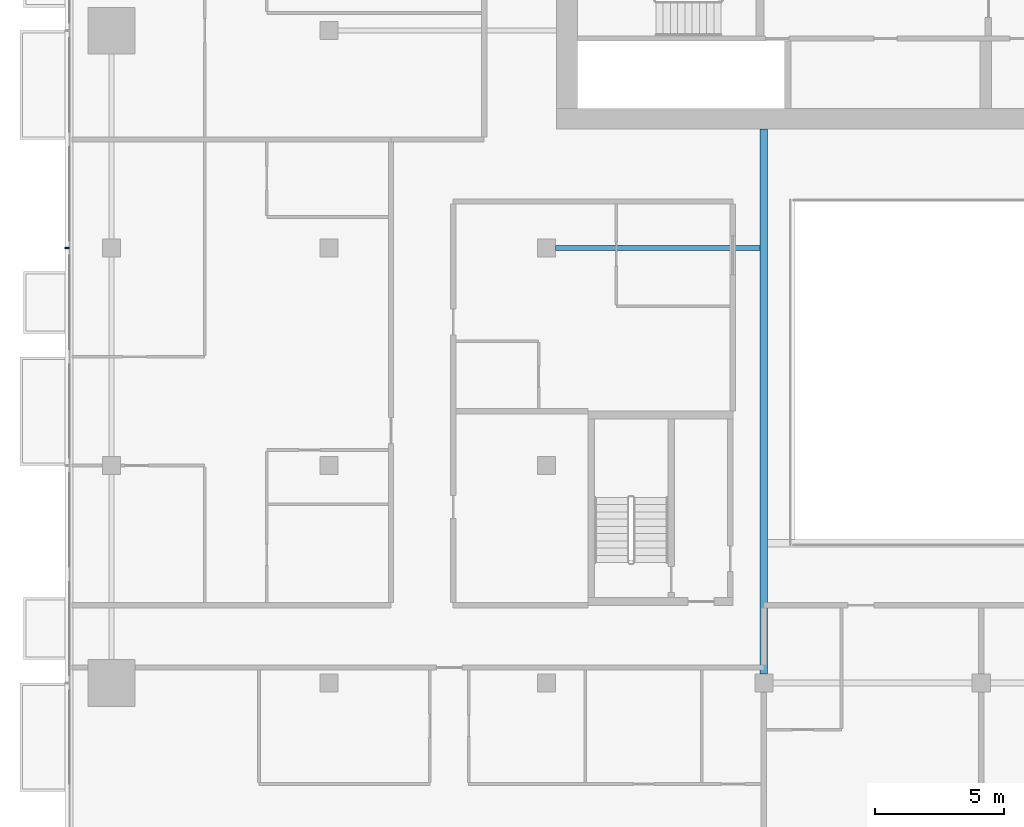
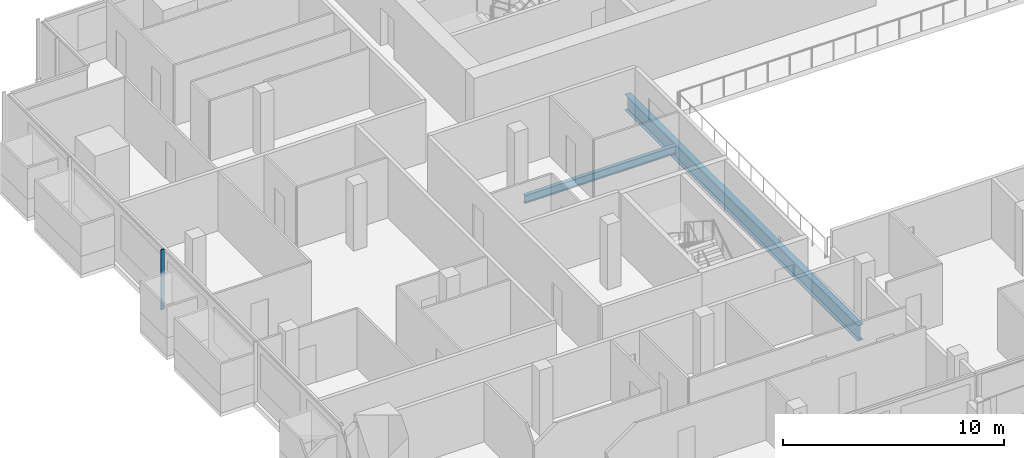
# One storey, part 4 of 28: 2 beams, 1 member, 1 element without a shape of its own.
"""IFC4 building model written with IfcOpenShell, lengths in metres."""

from ifc_helpers import new_model, si_unit, direction, frame, origin, origin_2d, place, context, subcontext, project, spatial, rectangle, i_section, extrude, material, material_profile, profile_set, type_object, element, aggregate, save


model = new_model("IFC4")

# Units and contexts
model_context = context("Model", 3, precision=1e-05, world=origin(), true_north=direction((0.0, 1.0)))
body_context = subcontext(model_context, "Body", "Model", "MODEL_VIEW")
ifc_project = project(units=[si_unit("LENGTHUNIT", "METRE"), si_unit("AREAUNIT", "SQUARE_METRE"), si_unit("VOLUMEUNIT", "CUBIC_METRE"), si_unit("PLANEANGLEUNIT", "RADIAN"), si_unit("MASSUNIT", "GRAM", prefix="KILO")], contexts=[model_context])

# Site, building, storey
site_placement = place(None, origin())
site = spatial("IfcSite", under=ifc_project, at=site_placement, CompositionType="ELEMENT")
building_placement = place(site_placement, origin())
building = spatial("IfcBuilding", under=site, at=building_placement, Name="Saffron Gate Tower", CompositionType="ELEMENT")
storey_placement = place(building_placement, frame((0.0, 0.0, 151.050048828125)))
storey = spatial("IfcBuildingStorey", under=building, at=storey_placement, Name="L36", CompositionType="ELEMENT", Elevation=151.050048828125)

# Beams
ifc_material_1 = material(Name="Structural steel S355", Category="steel")
ifc_material_profile_1 = material_profile(ifc_material_1, i_section(OverallWidth=0.300048828125, OverallDepth=0.889892578125, WebThickness=0.01611328125, FlangeThickness=0.030029296875, FilletRadius=0.030029296875, at=origin_2d()))
ifc_profile_set_1 = profile_set([ifc_material_profile_1], Name="Structural steel S355")
beam_type_1 = type_object("IfcBeamType", Name="B19 HEA 900", PredefinedType="BEAM", material=ifc_profile_set_1)
beam_1_placement = place(storey_placement, frame((75.0, 40.550048828125, -0.72509765625), z_axis=(0.0, 1.0, 0.0), x_axis=(-1.0, 0.0, 0.0)))
element("IfcBeam", 1, at=beam_1_placement, inside=storey, type_object=beam_type_1, Name="B19 ATRIUM GIRDER", PredefinedType="BEAM", context=body_context, shape_type="SweptSolid", body=[
    extrude(i_section(OverallWidth=0.300048828125, OverallDepth=0.889892578125, WebThickness=0.01611328125, FlangeThickness=0.030029296875, FilletRadius=0.030029296875, at=origin_2d()), origin(), (0.0, 0.0, 1.0), 21.050048828125),
])
ifc_material_profile_2 = material_profile(ifc_material_1, i_section(OverallWidth=0.18994140625, OverallDepth=0.449951171875, WebThickness=0.009521484375, FlangeThickness=0.0146484375, FilletRadius=0.02099609375, at=origin_2d()))
ifc_profile_set_2 = profile_set([ifc_material_profile_2], Name="Structural steel S355")
beam_type_2 = type_object("IfcBeamType", Name="B6 IPE 450", PredefinedType="BEAM", material=ifc_profile_set_2)
beam_2_placement = place(storey_placement, frame((66.949951171875, 57.0, -0.505126953125), z_axis=(1.0, 0.0, 0.0), x_axis=(0.0, 1.0, 0.0)))
element("IfcBeam", 2, at=beam_2_placement, inside=storey, type_object=beam_type_2, Name="B6 CORE TIE BEAM", PredefinedType="BEAM", context=body_context, shape_type="SweptSolid", body=[
    extrude(i_section(OverallWidth=0.18994140625, OverallDepth=0.449951171875, WebThickness=0.009521484375, FlangeThickness=0.0146484375, FilletRadius=0.02099609375, at=origin_2d()), origin(), (0.0, 0.0, 1.0), 7.900146484375),
])

# Curtain wall, member
ifc_material_2 = material(Name="Aluminium, bronze anodised", Category="aluminium")
curtain_wall_type = type_object("IfcCurtainWallType", Name="CWS2 curtain wall side facades", PredefinedType="NOTDEFINED", material=ifc_material_2)
curtain_wall_placement = place(storey_placement, origin())
curtain_wall = element("IfcCurtainWall", 3, at=curtain_wall_placement, inside=storey, type_object=curtain_wall_type, Name="CWS2 run 10", PredefinedType="NOTDEFINED")
ifc_material_profile_3 = material_profile(ifc_material_2, rectangle(XDim=0.159912109375, YDim=0.06005859375, at=origin_2d()))
ifc_profile_set_3 = profile_set([ifc_material_profile_3], Name="Aluminium, bronze anodised")
member_type = type_object("IfcMemberType", Name="CWS2 mullion 60x160", PredefinedType="MULLION", material=ifc_profile_set_3)
member_placement = place(storey_placement, frame((48.080078125, 57.0, 0.0), z_axis=(0.0, 0.0, 1.0), x_axis=(1.0, 0.0, 0.0)))
member = element("IfcMember", 4, at=member_placement, type_object=member_type, Name="CWS2 mullion 3", PredefinedType="MULLION", context=body_context, shape_type="SweptSolid", body=[
    extrude(rectangle(XDim=0.159912109375, YDim=0.06005859375, at=origin_2d()), origin(), (0.0, 0.0, 1.0), 3.320068359375),
])
aggregate(curtain_wall, [member])

save(model, "model.ifc")
